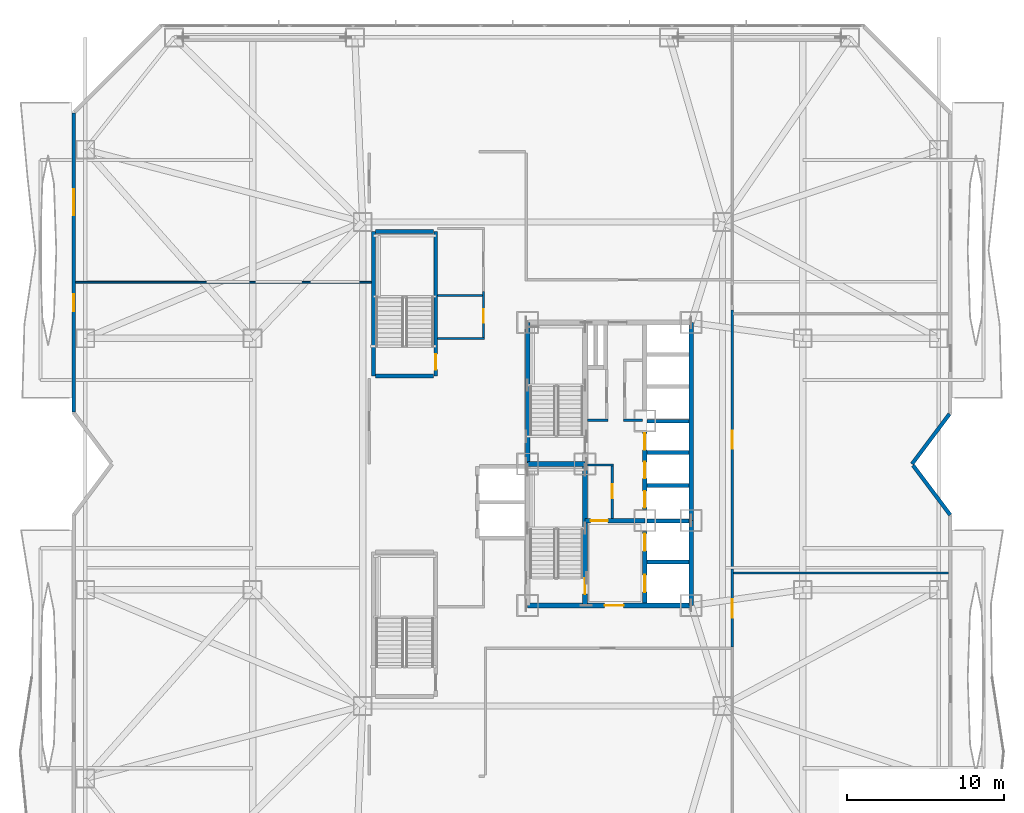
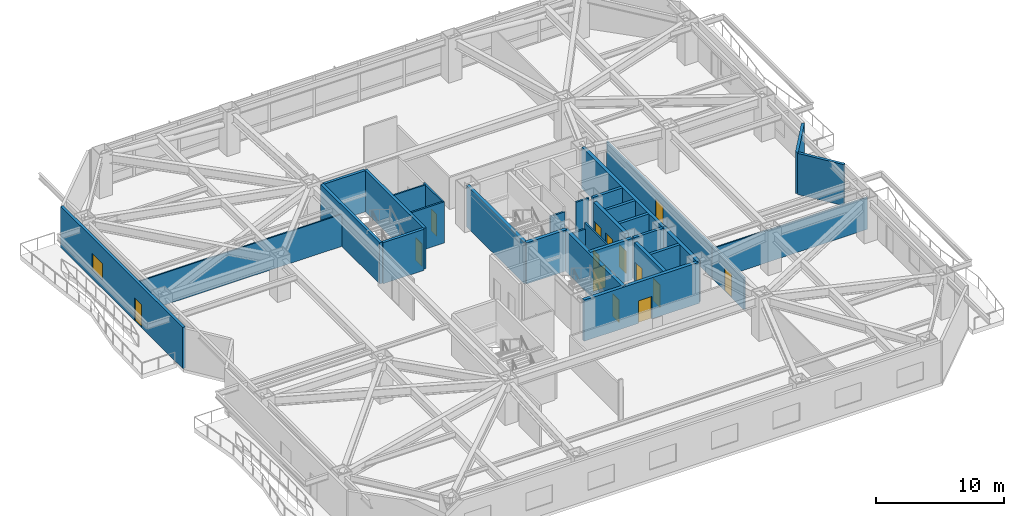
# One storey, part 17 of 25: 32 walls, 14 doors, 1 window, 15 openings.
"""IFC4 building model written with IfcOpenShell, lengths in metres."""

from ifc_helpers import new_model, si_unit, direction, frame, frame_2d, origin, place, context, subcontext, project, spatial, rectangle, extrude, material, layer, layer_set, type_object, element, fill, save


model = new_model("IFC4")

# Units and contexts
model_context = context("Model", 3, precision=1e-05, world=origin(), true_north=direction((0.0, 1.0)))
body_context = subcontext(model_context, "Body", "Model", "MODEL_VIEW")
ifc_project = project(units=[si_unit("LENGTHUNIT", "METRE"), si_unit("AREAUNIT", "SQUARE_METRE"), si_unit("VOLUMEUNIT", "CUBIC_METRE"), si_unit("PLANEANGLEUNIT", "RADIAN"), si_unit("MASSUNIT", "GRAM", prefix="KILO")], contexts=[model_context])

# Site, building, storey
site_placement = place(None, origin())
site = spatial("IfcSite", under=ifc_project, at=site_placement, CompositionType="ELEMENT")
building_placement = place(site_placement, origin())
building = spatial("IfcBuilding", under=site, at=building_placement, Name="Khamvora Tower", CompositionType="ELEMENT")
storey_placement = place(building_placement, frame((0.0, 0.0, 24.60009765625)))
storey = spatial("IfcBuildingStorey", under=building, at=storey_placement, Name="L05", CompositionType="ELEMENT", Elevation=24.60009765625)

# Wall
ifc_material_1 = material(Name="Concrete C50/60", Category="concrete")
ifc_layer_1 = layer(ifc_material_1, 0.300048828125)
ifc_layer_set_1 = layer_set([ifc_layer_1], Name="Concrete C50/60")
wall_type_1 = type_object("IfcWallType", Name="WAL-CORE-300", PredefinedType="SHEAR", material=ifc_layer_set_1)
wall_1_placement = place(storey_placement, frame((29.0, 28.0, 0.0), z_axis=(0.0, 0.0, 1.0), x_axis=(0.0, 1.0, 0.0)))
element("IfcWall", 1, at=wall_1_placement, inside=storey, type_object=wall_type_1, Name="L05 central core west north wall", PredefinedType="SHEAR", context=body_context, shape_type="SweptSolid", body=[
    extrude(rectangle(XDim=9.0, YDim=0.300048828125, at=frame_2d((4.5, 0.0))), origin(), (0.0, 0.0, 1.0), 3.919921875),
])

# Wall, opening, door
wall_2_placement = place(storey_placement, frame((29.0, 19.0, 0.0), z_axis=(0.0, 0.0, 1.0), x_axis=(1.0, 0.0, 0.0)))
wall_2 = element("IfcWall", 2, at=wall_2_placement, inside=storey, type_object=wall_type_1, Name="L05 central core south wall", PredefinedType="SHEAR", context=body_context, shape_type="SweptSolid", body=[
    extrude(rectangle(XDim=10.39990234375, YDim=0.300048828125, at=frame_2d((5.199951171875, 0.0))), origin(), (0.0, 0.0, 1.0), 3.919921875),
])
opening_1_placement = place(wall_2_placement, frame((4.89990234375, 0.0, 0.0)))
opening_1 = element("IfcOpeningElement", 3, at=opening_1_placement, cuts=wall_2, Name="Opening D-CR1", PredefinedType="OPENING", context=body_context, shape_type="SweptSolid", body=[
    extrude(rectangle(XDim=1.199951171875, YDim=2.14990234375, at=frame_2d((0.60009765625, 1.074951171875))), frame((0.0, 0.159912109375, 0.0), z_axis=(0.0, -1.0, 0.0), x_axis=(1.0, 0.0, 0.0)), (0.0, 0.0, 1.0), 0.320068359375),
])
ifc_material_2 = material(Name="Powder-Coated Steel and Hardwood Leaf", Category="steel")
door_type_1 = type_object("IfcDoorType", Name="DOR-CORR-1200", OperationType="NOTDEFINED", PredefinedType="DOOR", material=ifc_material_2)
door_1_placement = place(opening_1_placement, origin())
door_1 = element("IfcDoor", 4, at=door_1_placement, inside=storey, type_object=door_type_1, Name="L05 south core lobby to corridor fire door", OperationType="SINGLE_SWING_RIGHT", OverallHeight=2.14990234375, OverallWidth=1.199951171875, PredefinedType="DOOR", context=body_context, shape_type="SweptSolid", body=[
    extrude(rectangle(XDim=1.199951171875, YDim=2.14990234375, at=frame_2d((0.60009765625, 1.074951171875))), frame((0.0, 0.02490234375, 0.0), z_axis=(0.0, -1.0, 0.0), x_axis=(1.0, 0.0, 0.0)), (0.0, 0.0, 1.0), 0.050048828125),
])
fill(opening_1, door_1)

# Walls
wall_3_placement = place(storey_placement, frame((39.39990234375, 19.0, 0.0), z_axis=(0.0, 0.0, 1.0), x_axis=(0.0, 1.0, 0.0)))
element("IfcWall", 5, at=wall_3_placement, inside=storey, type_object=wall_type_1, Name="L05 central core east south wall", PredefinedType="SHEAR", context=body_context, shape_type="SweptSolid", body=[
    extrude(rectangle(XDim=5.39990234375, YDim=0.300048828125, at=frame_2d((2.699951171875, 0.0))), origin(), (0.0, 0.0, 1.0), 3.919921875),
])
wall_4_placement = place(storey_placement, frame((39.39990234375, 24.39990234375, 0.0), z_axis=(0.0, 0.0, 1.0), x_axis=(0.0, 1.0, 0.0)))
element("IfcWall", 6, at=wall_4_placement, inside=storey, type_object=wall_type_1, Name="L05 central core east north wall", PredefinedType="SHEAR", context=body_context, shape_type="SweptSolid", body=[
    extrude(rectangle(XDim=12.60009765625, YDim=0.300048828125, at=frame_2d((6.300048828125, 0.0))), origin(), (0.0, 0.0, 1.0), 3.919921875),
])

# Wall, opening, door
wall_5_placement = place(storey_placement, frame((32.64990234375, 19.0, 0.0), z_axis=(0.0, 0.0, 1.0), x_axis=(0.0, 1.0, 0.0)))
wall_5 = element("IfcWall", 7, at=wall_5_placement, inside=storey, type_object=wall_type_1, Name="L05 central core stair south spine wall", PredefinedType="SHEAR", context=body_context, shape_type="SweptSolid", body=[
    extrude(rectangle(XDim=9.0, YDim=0.300048828125, at=frame_2d((4.5, 0.0))), origin(), (0.0, 0.0, 1.0), 3.919921875),
])
opening_2_placement = place(wall_5_placement, frame((0.719970703125, 0.0, 0.0)))
opening_2 = element("IfcOpeningElement", 8, at=opening_2_placement, cuts=wall_5, Name="Opening D-ST1", PredefinedType="OPENING", context=body_context, shape_type="SweptSolid", body=[
    extrude(rectangle(XDim=1.0, YDim=2.14990234375, at=frame_2d((0.5, 1.074951171875))), frame((0.0, 0.159912109375, 0.0), z_axis=(0.0, -1.0, 0.0), x_axis=(1.0, 0.0, 0.0)), (0.0, 0.0, 1.0), 0.320068359375),
])
door_type_2 = type_object("IfcDoorType", Name="DOR-STAIR-1000", OperationType="NOTDEFINED", PredefinedType="DOOR", material=ifc_material_2)
door_2_placement = place(opening_2_placement, origin())
door_2 = element("IfcDoor", 9, at=door_2_placement, inside=storey, type_object=door_type_2, Name="L05 exit stair ST-01 fire door", OperationType="SINGLE_SWING_RIGHT", OverallHeight=2.14990234375, OverallWidth=1.0, PredefinedType="DOOR", context=body_context, shape_type="SweptSolid", body=[
    extrude(rectangle(XDim=1.0, YDim=2.14990234375, at=frame_2d((0.5, 1.074951171875))), frame((0.0, 0.02490234375, 0.0), z_axis=(0.0, -1.0, 0.0), x_axis=(1.0, 0.0, 0.0)), (0.0, 0.0, 1.0), 0.050048828125),
])
fill(opening_2, door_2)

# Wall
wall_6_placement = place(storey_placement, frame((29.0, 28.0, 0.0), z_axis=(0.0, 0.0, 1.0), x_axis=(1.0, 0.0, 0.0)))
element("IfcWall", 10, at=wall_6_placement, inside=storey, type_object=wall_type_1, Name="L05 central core stair cross wall", PredefinedType="SHEAR", context=body_context, shape_type="SweptSolid", body=[
    extrude(rectangle(XDim=3.64990234375, YDim=0.300048828125, at=frame_2d((1.824951171875, 0.0))), origin(), (0.0, 0.0, 1.0), 3.919921875),
])

# Wall, opening, door
wall_7_placement = place(storey_placement, frame((32.64990234375, 24.39990234375, 0.0), z_axis=(0.0, 0.0, 1.0), x_axis=(1.0, 0.0, 0.0)))
wall_7 = element("IfcWall", 11, at=wall_7_placement, inside=storey, type_object=wall_type_1, Name="L05 central core firefighting lobby north wall", PredefinedType="SHEAR", context=body_context, shape_type="SweptSolid", body=[
    extrude(rectangle(XDim=3.800048828125, YDim=0.300048828125, at=frame_2d((1.89990234375, 0.0))), origin(), (0.0, 0.0, 1.0), 3.919921875),
])
opening_3_placement = place(wall_7_placement, frame((0.35009765625, 0.0, 0.0)))
opening_3 = element("IfcOpeningElement", 12, at=opening_3_placement, cuts=wall_7, Name="Opening D-FF1", PredefinedType="OPENING", context=body_context, shape_type="SweptSolid", body=[
    extrude(rectangle(XDim=1.10009765625, YDim=2.14990234375, at=frame_2d((0.550048828125, 1.074951171875))), frame((0.0, 0.159912109375, 0.0), z_axis=(0.0, -1.0, 0.0), x_axis=(1.0, 0.0, 0.0)), (0.0, 0.0, 1.0), 0.320068359375),
])
door_type_3 = type_object("IfcDoorType", Name="DOR-FFLOB-1100", OperationType="NOTDEFINED", PredefinedType="DOOR", material=ifc_material_2)
door_3_placement = place(opening_3_placement, origin())
door_3 = element("IfcDoor", 13, at=door_3_placement, inside=storey, type_object=door_type_3, Name="L05 firefighting lobby smoke-seal fire door", OperationType="SINGLE_SWING_LEFT", OverallHeight=2.14990234375, OverallWidth=1.10009765625, PredefinedType="DOOR", context=body_context, shape_type="SweptSolid", body=[
    extrude(rectangle(XDim=1.10009765625, YDim=2.14990234375, at=frame_2d((0.550048828125, 1.074951171875))), frame((0.0, 0.02490234375, 0.0), z_axis=(0.0, -1.0, 0.0), x_axis=(1.0, 0.0, 0.0)), (0.0, 0.0, 1.0), 0.050048828125),
])
fill(opening_3, door_3)

# Wall, openings, doors
wall_8_placement = place(storey_placement, frame((36.449951171875, 19.154052734375, 0.0), z_axis=(0.0, 0.0, 1.0), x_axis=(0.0, 1.0, 0.0)))
wall_8 = element("IfcWall", 14, at=wall_8_placement, inside=storey, type_object=wall_type_1, Name="L05 central core lift bank south wall", PredefinedType="SHEAR", context=body_context, shape_type="SweptSolid", body=[
    extrude(rectangle(XDim=4.5458984375, YDim=0.300048828125, at=frame_2d((2.27294921875, 0.0))), origin(), (0.0, 0.0, 1.0), 3.919921875),
])
opening_4_placement = place(wall_8_placement, frame((0.696044921875, 0.0, 0.0)))
opening_4 = element("IfcOpeningElement", 15, at=opening_4_placement, cuts=wall_8, Name="Opening LD-FFL", PredefinedType="OPENING", context=body_context, shape_type="SweptSolid", body=[
    extrude(rectangle(XDim=1.10009765625, YDim=2.14990234375, at=frame_2d((0.550048828125, 1.074951171875))), frame((0.0, 0.159912109375, 0.0), z_axis=(0.0, -1.0, 0.0), x_axis=(1.0, 0.0, 0.0)), (0.0, 0.0, 1.0), 0.320068359375),
])
opening_5_placement = place(wall_8_placement, frame((3.31591796875, 0.0, 0.0)))
opening_5 = element("IfcOpeningElement", 16, at=opening_5_placement, cuts=wall_8, Name="Opening LD-FFL", PredefinedType="OPENING", context=body_context, shape_type="SweptSolid", body=[
    extrude(rectangle(XDim=1.10009765625, YDim=2.14990234375, at=frame_2d((0.550048828125, 1.074951171875))), frame((0.0, 0.159912109375, 0.0), z_axis=(0.0, -1.0, 0.0), x_axis=(1.0, 0.0, 0.0)), (0.0, 0.0, 1.0), 0.320068359375),
])
door_type_4 = type_object("IfcDoorType", Name="DOR-LIFT-1100", OperationType="SLIDING_TO_LEFT", PredefinedType="DOOR", material=ifc_material_2)
door_4_placement = place(opening_4_placement, origin())
door_4 = element("IfcDoor", 17, at=door_4_placement, inside=storey, type_object=door_type_4, Name="L05 lift landing sliding door FFL-01", OperationType="SLIDING_TO_LEFT", OverallHeight=2.14990234375, OverallWidth=1.10009765625, PredefinedType="DOOR", context=body_context, shape_type="SweptSolid", body=[
    extrude(rectangle(XDim=1.10009765625, YDim=2.14990234375, at=frame_2d((0.550048828125, 1.074951171875))), frame((0.0, 0.02490234375, 0.0), z_axis=(0.0, -1.0, 0.0), x_axis=(1.0, 0.0, 0.0)), (0.0, 0.0, 1.0), 0.050048828125),
])
fill(opening_4, door_4)
door_5_placement = place(opening_5_placement, origin())
door_5 = element("IfcDoor", 18, at=door_5_placement, inside=storey, type_object=door_type_4, Name="L05 lift landing sliding door FFL-02", OperationType="SLIDING_TO_LEFT", OverallHeight=2.14990234375, OverallWidth=1.10009765625, PredefinedType="DOOR", context=body_context, shape_type="SweptSolid", body=[
    extrude(rectangle(XDim=1.10009765625, YDim=2.14990234375, at=frame_2d((0.550048828125, 1.074951171875))), frame((0.0, 0.02490234375, 0.0), z_axis=(0.0, -1.0, 0.0), x_axis=(1.0, 0.0, 0.0)), (0.0, 0.0, 1.0), 0.050048828125),
])
fill(opening_5, door_5)

wall_9_placement = place(storey_placement, frame((36.449951171875, 25.10009765625, 0.0), z_axis=(0.0, 0.0, 1.0), x_axis=(0.0, 1.0, 0.0)))
wall_9 = element("IfcWall", 19, at=wall_9_placement, inside=storey, type_object=wall_type_1, Name="L05 central core lift bank central wall", PredefinedType="SHEAR", context=body_context, shape_type="SweptSolid", body=[
    extrude(rectangle(XDim=4.949951171875, YDim=0.300048828125, at=frame_2d((2.47509765625, 0.0))), origin(), (0.0, 0.0, 1.0), 3.919921875),
])
opening_6_placement = place(wall_9_placement, frame((0.1201171875, 0.0, 0.0)))
opening_6 = element("IfcOpeningElement", 20, at=opening_6_placement, cuts=wall_9, Name="Opening LD-PL", PredefinedType="OPENING", context=body_context, shape_type="SweptSolid", body=[
    extrude(rectangle(XDim=1.050048828125, YDim=2.14990234375, at=frame_2d((0.52490234375, 1.074951171875))), frame((0.0, 0.159912109375, 0.0), z_axis=(0.0, -1.0, 0.0), x_axis=(1.0, 0.0, 0.0)), (0.0, 0.0, 1.0), 0.320068359375),
])
opening_7_placement = place(wall_9_placement, frame((1.9951171875, 0.0, 0.0)))
opening_7 = element("IfcOpeningElement", 21, at=opening_7_placement, cuts=wall_9, Name="Opening LD-PL", PredefinedType="OPENING", context=body_context, shape_type="SweptSolid", body=[
    extrude(rectangle(XDim=1.050048828125, YDim=2.14990234375, at=frame_2d((0.52490234375, 1.074951171875))), frame((0.0, 0.159912109375, 0.0), z_axis=(0.0, -1.0, 0.0), x_axis=(1.0, 0.0, 0.0)), (0.0, 0.0, 1.0), 0.320068359375),
])
opening_8_placement = place(wall_9_placement, frame((3.794921875, 0.0, 0.0)))
opening_8 = element("IfcOpeningElement", 22, at=opening_8_placement, cuts=wall_9, Name="Opening LD-PL", PredefinedType="OPENING", context=body_context, shape_type="SweptSolid", body=[
    extrude(rectangle(XDim=1.050048828125, YDim=2.14990234375, at=frame_2d((0.52490234375, 1.074951171875))), frame((0.0, 0.159912109375, 0.0), z_axis=(0.0, -1.0, 0.0), x_axis=(1.0, 0.0, 0.0)), (0.0, 0.0, 1.0), 0.320068359375),
])
door_type_5 = type_object("IfcDoorType", Name="DOR-LIFT-1050", OperationType="SLIDING_TO_LEFT", PredefinedType="DOOR", material=ifc_material_2)
door_6_placement = place(opening_6_placement, origin())
door_6 = element("IfcDoor", 23, at=door_6_placement, inside=storey, type_object=door_type_5, Name="L05 lift landing sliding door PL-01", OperationType="SLIDING_TO_LEFT", OverallHeight=2.14990234375, OverallWidth=1.050048828125, PredefinedType="DOOR", context=body_context, shape_type="SweptSolid", body=[
    extrude(rectangle(XDim=1.050048828125, YDim=2.14990234375, at=frame_2d((0.52490234375, 1.074951171875))), frame((0.0, 0.02490234375, 0.0), z_axis=(0.0, -1.0, 0.0), x_axis=(1.0, 0.0, 0.0)), (0.0, 0.0, 1.0), 0.050048828125),
])
fill(opening_6, door_6)
door_7_placement = place(opening_7_placement, origin())
door_7 = element("IfcDoor", 24, at=door_7_placement, inside=storey, type_object=door_type_5, Name="L05 lift landing sliding door PL-02", OperationType="SLIDING_TO_LEFT", OverallHeight=2.14990234375, OverallWidth=1.050048828125, PredefinedType="DOOR", context=body_context, shape_type="SweptSolid", body=[
    extrude(rectangle(XDim=1.050048828125, YDim=2.14990234375, at=frame_2d((0.52490234375, 1.074951171875))), frame((0.0, 0.02490234375, 0.0), z_axis=(0.0, -1.0, 0.0), x_axis=(1.0, 0.0, 0.0)), (0.0, 0.0, 1.0), 0.050048828125),
])
fill(opening_7, door_7)
door_8_placement = place(opening_8_placement, origin())
door_8 = element("IfcDoor", 25, at=door_8_placement, inside=storey, type_object=door_type_5, Name="L05 lift landing sliding door PL-03", OperationType="SLIDING_TO_LEFT", OverallHeight=2.14990234375, OverallWidth=1.050048828125, PredefinedType="DOOR", context=body_context, shape_type="SweptSolid", body=[
    extrude(rectangle(XDim=1.050048828125, YDim=2.14990234375, at=frame_2d((0.52490234375, 1.074951171875))), frame((0.0, 0.02490234375, 0.0), z_axis=(0.0, -1.0, 0.0), x_axis=(1.0, 0.0, 0.0)), (0.0, 0.0, 1.0), 0.050048828125),
])
fill(opening_8, door_8)

# Walls
ifc_material_3 = material(Name="Fire-Rated Drywall and Steel Stud", Category="steel")
ifc_layer_2 = layer(ifc_material_3, 0.14990234375)
ifc_layer_set_2 = layer_set([ifc_layer_2], Name="Fire-Rated Drywall and Steel Stud")
wall_type_2 = type_object("IfcWallType", Name="WAL-CORR-150", PredefinedType="STANDARD", material=ifc_layer_set_2)
wall_10_placement = place(storey_placement, frame((35.10205078125, 30.784912109375, 0.0), z_axis=(0.0, 0.0, 1.0), x_axis=(1.0, 0.0, 0.0)))
element("IfcWall", 26, at=wall_10_placement, inside=storey, type_object=wall_type_2, Name="L05 interior partition wall 003", PredefinedType="STANDARD", context=body_context, shape_type="SweptSolid", body=[
    extrude(rectangle(XDim=1.197998046875, YDim=0.14990234375, at=frame_2d((0.59912109375, 0.0))), origin(), (0.0, 0.0, 1.0), 3.919921875),
])
wall_11_placement = place(storey_placement, frame((32.7939453125, 30.784912109375, 0.0), z_axis=(0.0, 0.0, 1.0), x_axis=(1.0, 0.0, 0.0)))
element("IfcWall", 27, at=wall_11_placement, inside=storey, type_object=wall_type_2, Name="L05 interior partition wall 004", PredefinedType="STANDARD", context=body_context, shape_type="SweptSolid", body=[
    extrude(rectangle(XDim=1.30615234375, YDim=0.14990234375, at=frame_2d((0.653076171875, 0.0))), origin(), (0.0, 0.0, 1.0), 3.376953125),
])

# Wall, opening, door
wall_12_placement = place(storey_placement, frame((34.385009765625, 24.5439453125, 0.0), z_axis=(0.0, 0.0, 1.0), x_axis=(0.0, 1.0, 0.0)))
wall_12 = element("IfcWall", 28, at=wall_12_placement, inside=storey, type_object=wall_type_2, Name="L05 interior partition wall 006", PredefinedType="STANDARD", context=body_context, shape_type="SweptSolid", body=[
    extrude(rectangle(XDim=3.4560546875, YDim=0.14990234375, at=frame_2d((1.72802734375, 0.0))), origin(), (0.0, 0.0, 1.0), 3.919921875),
])
opening_9_placement = place(wall_12_placement, frame((1.278076171875, 0.0, 0.0)))
opening_9 = element("IfcOpeningElement", 29, at=opening_9_placement, cuts=wall_12, Name="Opening D-RM1", PredefinedType="OPENING", context=body_context, shape_type="SweptSolid", body=[
    extrude(rectangle(XDim=0.89990234375, YDim=2.10009765625, at=frame_2d((0.449951171875, 1.050048828125))), frame((0.0, 0.0849609375, 0.0), z_axis=(0.0, -1.0, 0.0), x_axis=(1.0, 0.0, 0.0)), (0.0, 0.0, 1.0), 0.169921875),
])
door_type_6 = type_object("IfcDoorType", Name="DOR-ROOM-900", OperationType="NOTDEFINED", PredefinedType="DOOR", material=ifc_material_2)
door_9_placement = place(opening_9_placement, origin())
door_9 = element("IfcDoor", 30, at=door_9_placement, inside=storey, type_object=door_type_6, Name="L05 interior door PLL-CS3", OperationType="SINGLE_SWING_RIGHT", OverallHeight=2.10009765625, OverallWidth=0.89990234375, PredefinedType="DOOR", context=body_context, shape_type="SweptSolid", body=[
    extrude(rectangle(XDim=0.89990234375, YDim=2.10009765625, at=frame_2d((0.449951171875, 1.050048828125))), frame((0.0, 0.02490234375, 0.0), z_axis=(0.0, -1.0, 0.0), x_axis=(1.0, 0.0, 0.0)), (0.0, 0.0, 1.0), 0.050048828125),
])
fill(opening_9, door_9)

# Walls
wall_13_placement = place(storey_placement, frame((34.449951171875, 27.93505859375, 0.0), z_axis=(0.0, 0.0, 1.0), x_axis=(-1.0, 0.0, 0.0)))
element("IfcWall", 31, at=wall_13_placement, inside=storey, type_object=wall_type_2, Name="L05 interior partition wall 007", PredefinedType="STANDARD", context=body_context, shape_type="SweptSolid", body=[
    extrude(rectangle(XDim=1.656005859375, YDim=0.14990234375, at=frame_2d((0.828125, 0.0))), origin(), (0.0, 0.0, 1.0), 3.376953125),
])
wall_14_placement = place(storey_placement, frame((23.26708984375, 35.985107421875, 0.0), z_axis=(0.0, 0.0, 1.0), x_axis=(1.0, 0.0, 0.0)))
element("IfcWall", 32, at=wall_14_placement, inside=storey, type_object=wall_type_2, Name="L05 interior partition wall 010", PredefinedType="STANDARD", context=body_context, shape_type="SweptSolid", body=[
    extrude(rectangle(XDim=2.98291015625, YDim=0.14990234375, at=frame_2d((1.491455078125, 0.0))), origin(), (0.0, 0.0, 1.0), 3.919921875),
])

# Wall, opening, door
wall_15_placement = place(storey_placement, frame((26.18505859375, 35.922119140625, 0.0), z_axis=(0.0, 0.0, 1.0), x_axis=(0.0, 1.0, 0.0)))
wall_15 = element("IfcWall", 33, at=wall_15_placement, inside=storey, type_object=wall_type_2, Name="L05 interior partition wall 011", PredefinedType="STANDARD", context=body_context, shape_type="SweptSolid", body=[
    extrude(rectangle(XDim=3.0419921875, YDim=0.14990234375, at=frame_2d((1.52099609375, 0.0))), origin(), (0.0, 0.0, 1.0), 3.919921875),
])
opening_10_placement = place(wall_15_placement, frame((1.074951171875, 0.0, 0.0)))
opening_10 = element("IfcOpeningElement", 34, at=opening_10_placement, cuts=wall_15, Name="Opening D-WC1", PredefinedType="OPENING", context=body_context, shape_type="SweptSolid", body=[
    extrude(rectangle(XDim=0.85009765625, YDim=2.10009765625, at=frame_2d((0.425048828125, 1.050048828125))), frame((0.0, 0.0849609375, 0.0), z_axis=(0.0, -1.0, 0.0), x_axis=(1.0, 0.0, 0.0)), (0.0, 0.0, 1.0), 0.169921875),
])
door_type_7 = type_object("IfcDoorType", Name="DOR-WET-850", OperationType="NOTDEFINED", PredefinedType="DOOR", material=ifc_material_2)
door_10_placement = place(opening_10_placement, origin())
door_10 = element("IfcDoor", 35, at=door_10_placement, inside=storey, type_object=door_type_7, Name="L05 interior door SCOR-WCA", OperationType="SINGLE_SWING_RIGHT", OverallHeight=2.10009765625, OverallWidth=0.85009765625, PredefinedType="DOOR", context=body_context, shape_type="SweptSolid", body=[
    extrude(rectangle(XDim=0.85009765625, YDim=2.10009765625, at=frame_2d((0.425048828125, 1.050048828125))), frame((0.0, 0.02490234375, 0.0), z_axis=(0.0, -1.0, 0.0), x_axis=(1.0, 0.0, 0.0)), (0.0, 0.0, 1.0), 0.050048828125),
])
fill(opening_10, door_10)

wall_16_placement = place(storey_placement, frame((42.014892578125, 21.31396484375, 0.0), z_axis=(0.0, 0.0, 1.0), x_axis=(0.0, -1.0, 0.0)))
wall_16 = element("IfcWall", 36, at=wall_16_placement, inside=storey, type_object=wall_type_2, Name="L05 interior partition wall 017", PredefinedType="STANDARD", context=body_context, shape_type="SweptSolid", body=[
    extrude(rectangle(XDim=4.9638671875, YDim=0.14990234375, at=frame_2d((2.48193359375, 0.0))), origin(), (0.0, 0.0, 1.0), 3.054931640625),
])
opening_11_placement = place(wall_16_placement, frame((1.927978515625, 0.0, 0.0)))
opening_11 = element("IfcOpeningElement", 37, at=opening_11_placement, cuts=wall_16, Name="Opening D-SC1", PredefinedType="OPENING", context=body_context, shape_type="SweptSolid", body=[
    extrude(rectangle(XDim=1.14990234375, YDim=2.199951171875, at=frame_2d((0.574951171875, 1.10009765625))), frame((0.0, 0.0849609375, 0.0), z_axis=(0.0, -1.0, 0.0), x_axis=(1.0, 0.0, 0.0)), (0.0, 0.0, 1.0), 0.169921875),
])
door_type_8 = type_object("IfcDoorType", Name="DOR-SCHL-1150", OperationType="NOTDEFINED", PredefinedType="DOOR", material=ifc_material_2)
door_11_placement = place(opening_11_placement, origin())
door_11 = element("IfcDoor", 38, at=door_11_placement, inside=storey, type_object=door_type_8, Name="L05 interior door SCOR-CL1", OperationType="SINGLE_SWING_RIGHT", OverallHeight=2.199951171875, OverallWidth=1.14990234375, PredefinedType="DOOR", context=body_context, shape_type="SweptSolid", body=[
    extrude(rectangle(XDim=1.14990234375, YDim=2.199951171875, at=frame_2d((0.574951171875, 1.10009765625))), frame((0.0, 0.02490234375, 0.0), z_axis=(0.0, -1.0, 0.0), x_axis=(1.0, 0.0, 0.0)), (0.0, 0.0, 1.0), 0.050048828125),
])
fill(opening_11, door_11)

wall_17_placement = place(storey_placement, frame((42.014892578125, 37.81396484375, 0.0), z_axis=(0.0, 0.0, 1.0), x_axis=(0.0, -1.0, 0.0)))
wall_17 = element("IfcWall", 39, at=wall_17_placement, inside=storey, type_object=wall_type_2, Name="L05 interior partition wall 018", PredefinedType="STANDARD", context=body_context, shape_type="SweptSolid", body=[
    extrude(rectangle(XDim=16.5, YDim=0.14990234375, at=frame_2d((8.25, 0.0))), origin(), (0.0, 0.0, 1.0), 3.054931640625),
])
opening_12_placement = place(wall_17_placement, frame((7.696044921875, 0.0, 0.0)))
opening_12 = element("IfcOpeningElement", 40, at=opening_12_placement, cuts=wall_17, Name="Opening D-SC1", PredefinedType="OPENING", context=body_context, shape_type="SweptSolid", body=[
    extrude(rectangle(XDim=1.14990234375, YDim=2.199951171875, at=frame_2d((0.574951171875, 1.10009765625))), frame((0.0, 0.0849609375, 0.0), z_axis=(0.0, -1.0, 0.0), x_axis=(1.0, 0.0, 0.0)), (0.0, 0.0, 1.0), 0.169921875),
])
door_12_placement = place(opening_12_placement, origin())
door_12 = element("IfcDoor", 41, at=door_12_placement, inside=storey, type_object=door_type_8, Name="L05 interior door SCOR-CL2", OperationType="SINGLE_SWING_LEFT", OverallHeight=2.199951171875, OverallWidth=1.14990234375, PredefinedType="DOOR", context=body_context, shape_type="SweptSolid", body=[
    extrude(rectangle(XDim=1.14990234375, YDim=2.199951171875, at=frame_2d((0.574951171875, 1.10009765625))), frame((0.0, 0.02490234375, 0.0), z_axis=(0.0, -1.0, 0.0), x_axis=(1.0, 0.0, 0.0)), (0.0, 0.0, 1.0), 0.050048828125),
])
fill(opening_12, door_12)

# Wall, openings, door, window
ifc_material_4 = material(Name="Precast concrete C40/50", Category="concrete")
ifc_layer_3 = layer(ifc_material_4, 0.239990234375)
ifc_layer_set_3 = layer_set([ifc_layer_3], Name="Precast concrete C40/50")
wall_type_3 = type_object("IfcWallType", Name="WAL-EXT-240", PredefinedType="STANDARD", material=ifc_layer_set_3)
wall_18_placement = place(storey_placement, frame((0.1201171875, 31.303955078125, 0.0), z_axis=(0.0, 0.0, 1.0), x_axis=(0.0, 1.0, 0.0)))
wall_18 = element("IfcWall", 42, at=wall_18_placement, inside=storey, type_object=wall_type_3, Name="L05 exterior facade wall 05.1", PredefinedType="STANDARD", context=body_context, shape_type="SweptSolid", body=[
    extrude(rectangle(XDim=19.046142578125, YDim=0.239990234375, at=frame_2d((9.52294921875, 0.0))), origin(), (0.0, 0.0, 1.0), 3.919921875),
])
opening_13_placement = place(wall_18_placement, frame((6.403076171875, 0.0, 0.0)))
opening_13 = element("IfcOpeningElement", 43, at=opening_13_placement, cuts=wall_18, Name="Opening BD-01", PredefinedType="OPENING", context=body_context, shape_type="SweptSolid", body=[
    extrude(rectangle(XDim=1.10009765625, YDim=2.199951171875, at=frame_2d((0.550048828125, 1.10009765625))), frame((0.0, 0.1298828125, 0.0), z_axis=(0.0, -1.0, 0.0), x_axis=(1.0, 0.0, 0.0)), (0.0, 0.0, 1.0), 0.260009765625),
])
opening_14_placement = place(wall_18_placement, frame((12.51611328125, 0.0, 0.85009765625)))
opening_14 = element("IfcOpeningElement", 44, at=opening_14_placement, cuts=wall_18, Name="Opening WN-06", PredefinedType="OPENING", context=body_context, shape_type="SweptSolid", body=[
    extrude(rectangle(XDim=1.64990234375, YDim=1.550048828125, at=frame_2d((0.824951171875, 0.77490234375))), frame((0.0, 0.1298828125, 0.0), z_axis=(0.0, -1.0, 0.0), x_axis=(1.0, 0.0, 0.0)), (0.0, 0.0, 1.0), 0.260009765625),
])
ifc_material_5 = material(Name="Anodised Aluminium and Laminated Safety Glass", Category="aluminium")
door_type_9 = type_object("IfcDoorType", Name="DOR-BAL-1100", OperationType="NOTDEFINED", PredefinedType="DOOR", material=ifc_material_5)
door_13_placement = place(opening_13_placement, origin())
door_13 = element("IfcDoor", 45, at=door_13_placement, inside=storey, type_object=door_type_9, Name="L05 lens gallery balcony door WL2", OperationType="SLIDING_TO_LEFT", OverallHeight=2.199951171875, OverallWidth=1.10009765625, PredefinedType="DOOR", context=body_context, shape_type="SweptSolid", body=[
    extrude(rectangle(XDim=1.10009765625, YDim=2.199951171875, at=frame_2d((0.550048828125, 1.10009765625))), frame((0.0, 0.02490234375, 0.0), z_axis=(0.0, -1.0, 0.0), x_axis=(1.0, 0.0, 0.0)), (0.0, 0.0, 1.0), 0.050048828125),
])
fill(opening_13, door_13)
ifc_material_6 = material(Name="Low-E Laminated Double Glazing", Category="glass")
window_type = type_object("IfcWindowType", Name="WIN-VIS-1650x1550", PartitioningType="SINGLE_PANEL", PredefinedType="WINDOW", material=ifc_material_6)
window_placement = place(opening_14_placement, origin())
window = element("IfcWindow", 46, at=window_placement, inside=storey, type_object=window_type, Name="L05 vision window 05.1.01", OverallHeight=1.550048828125, OverallWidth=1.64990234375, PartitioningType="SINGLE_PANEL", PredefinedType="WINDOW", context=body_context, shape_type="SweptSolid", body=[
    extrude(rectangle(XDim=1.64990234375, YDim=1.550048828125, at=frame_2d((0.824951171875, 0.77490234375))), frame((0.0, 0.030029296875, 0.0), z_axis=(0.0, -1.0, 0.0), x_axis=(1.0, 0.0, 0.0)), (0.0, 0.0, 1.0), 0.06005859375),
])
fill(opening_14, window)

# Walls
wall_19_placement = place(storey_placement, frame((55.842041015625, 31.18896484375, 0.0), z_axis=(0.0, 0.0, 1.0), x_axis=(-0.600058791648, -0.799955902889, 0.0)))
element("IfcWall", 47, at=wall_19_placement, inside=storey, type_object=wall_type_3, Name="L05 exterior facade wall 10.1", PredefinedType="STANDARD", context=body_context, shape_type="SweptSolid", body=[
    extrude(rectangle(XDim=3.986328125, YDim=0.239990234375, at=frame_2d((1.9931640625, 0.0))), origin(), (0.0, 0.0, 1.0), 3.919921875),
])
wall_20_placement = place(storey_placement, frame((53.512939453125, 27.916015625, 0.0), z_axis=(0.0, 0.0, 1.0), x_axis=(0.599990098106, -0.800007426325, 0.0)))
element("IfcWall", 48, at=wall_20_placement, inside=storey, type_object=wall_type_3, Name="L05 exterior facade wall 11.1", PredefinedType="STANDARD", context=body_context, shape_type="SweptSolid", body=[
    extrude(rectangle(XDim=3.945068359375, YDim=0.239990234375, at=frame_2d((1.97265625, 0.0))), origin(), (0.0, 0.0, 1.0), 3.919921875),
])
ifc_material_7 = material(Name="Gypsum Plasterboard Partition", Category="gypsum")
ifc_layer_4 = layer(ifc_material_7, 0.1201171875)
ifc_layer_set_4 = layer_set([ifc_layer_4], Name="Gypsum Plasterboard Partition")
wall_type_4 = type_object("IfcWallType", Name="WAL-PART-120", PredefinedType="PARTITIONING", material=ifc_layer_set_4)
wall_21_placement = place(storey_placement, frame((0.23193359375, 39.56494140625, 0.0), z_axis=(0.0, 0.0, 1.0), x_axis=(1.0, 0.0, 0.0)))
element("IfcWall", 49, at=wall_21_placement, inside=storey, type_object=wall_type_4, Name="L05 interior partition wall 027", PredefinedType="PARTITIONING", context=body_context, shape_type="SweptSolid", body=[
    extrude(rectangle(XDim=18.84912109375, YDim=0.1201171875, at=frame_2d((9.424560546875, 0.0))), origin(), (0.0, 0.0, 1.0), 3.054931640625),
])
wall_22_placement = place(storey_placement, frame((42.08203125, 21.06494140625, 0.0), z_axis=(0.0, 0.0, 1.0), x_axis=(1.0, 0.0, 0.0)))
element("IfcWall", 50, at=wall_22_placement, inside=storey, type_object=wall_type_4, Name="L05 interior partition wall 028", PredefinedType="PARTITIONING", context=body_context, shape_type="SweptSolid", body=[
    extrude(rectangle(XDim=13.68603515625, YDim=0.1201171875, at=frame_2d((6.843017578125, 0.0))), origin(), (0.0, 0.0, 1.0), 3.054931640625),
])
ifc_material_8 = material(Name="Concrete C40/50", Category="concrete")
ifc_layer_5 = layer(ifc_material_8, 0.25)
ifc_layer_set_5 = layer_set([ifc_layer_5], Name="Concrete C40/50")
wall_type_5 = type_object("IfcWallType", Name="WAL-PODS-250", PredefinedType="SHEAR", material=ifc_layer_set_5)
for number, where, z_axis, x_axis, name in (
    (51, (36.60400390625, 21.77490234375, 0.0), (0.0, 0.0, 1.0), (1.0, 0.0, 0.0), "L05 lift shaft divider wall FFL-01"),
    (52, (36.60400390625, 24.375, 0.0), (0.0, 0.0, 1.0), (1.0, 0.0, 0.0), "L05 lift shaft divider wall FFL-02"),
    (53, (36.60400390625, 26.625, 0.0), (0.0, 0.0, 1.0), (1.0, 0.0, 0.0), "L05 lift shaft divider wall PL-01"),
    (54, (36.60400390625, 28.72509765625, 0.0), (0.0, 0.0, 1.0), (1.0, 0.0, 0.0), "L05 lift shaft divider wall PL-02"),
    (55, (36.60400390625, 30.72509765625, 0.0), (0.0, 0.0, 1.0), (1.0, 0.0, 0.0), "L05 lift shaft divider wall PL-03"),
):
    element("IfcWall", number, at=place(storey_placement, frame(where, z_axis=z_axis, x_axis=x_axis)), inside=storey, type_object=wall_type_5, Name=name, PredefinedType="SHEAR", context=body_context, shape_type="SweptSolid", body=[
        extrude(rectangle(XDim=2.64208984375, YDim=0.25, at=frame_2d((1.321044921875, 0.0))), origin(), (0.0, 0.0, 1.0), 3.919921875),
    ])
wall_23_placement = place(storey_placement, frame((19.199951171875, 33.60009765625, 0.0), z_axis=(0.0, 0.0, 1.0), x_axis=(0.0, 1.0, 0.0)))
element("IfcWall", 56, at=wall_23_placement, inside=storey, type_object=wall_type_5, Name="L05 podium stair core wall st4 w", PredefinedType="SHEAR", context=body_context, shape_type="SweptSolid", body=[
    extrude(rectangle(XDim=9.199951171875, YDim=0.25, at=frame_2d((4.60009765625, 0.0))), origin(), (0.0, 0.0, 1.0), 3.919921875),
])

# Wall, opening, door
wall_24_placement = place(storey_placement, frame((23.14990234375, 33.60009765625, 0.0), z_axis=(0.0, 0.0, 1.0), x_axis=(0.0, 1.0, 0.0)))
wall_24 = element("IfcWall", 57, at=wall_24_placement, inside=storey, type_object=wall_type_5, Name="L05 podium stair core wall st4 e", PredefinedType="SHEAR", context=body_context, shape_type="SweptSolid", body=[
    extrude(rectangle(XDim=9.199951171875, YDim=0.25, at=frame_2d((4.60009765625, 0.0))), origin(), (0.0, 0.0, 1.0), 3.919921875),
])
opening_15_placement = place(wall_24_placement, frame((0.39990234375, 0.0, 0.0)))
opening_15 = element("IfcOpeningElement", 58, at=opening_15_placement, cuts=wall_24, Name="Opening D-ST1", PredefinedType="OPENING", context=body_context, shape_type="SweptSolid", body=[
    extrude(rectangle(XDim=1.0, YDim=2.14990234375, at=frame_2d((0.5, 1.074951171875))), frame((0.0, 0.135009765625, 0.0), z_axis=(0.0, -1.0, 0.0), x_axis=(1.0, 0.0, 0.0)), (0.0, 0.0, 1.0), 0.27001953125),
])
door_14_placement = place(opening_15_placement, origin())
door_14 = element("IfcDoor", 59, at=door_14_placement, inside=storey, type_object=door_type_2, Name="L05 podium stair ST4 enclosure door", OperationType="SINGLE_SWING_LEFT", OverallHeight=2.14990234375, OverallWidth=1.0, PredefinedType="DOOR", context=body_context, shape_type="SweptSolid", body=[
    extrude(rectangle(XDim=1.0, YDim=2.14990234375, at=frame_2d((0.5, 1.074951171875))), frame((0.0, 0.02490234375, 0.0), z_axis=(0.0, -1.0, 0.0), x_axis=(1.0, 0.0, 0.0)), (0.0, 0.0, 1.0), 0.050048828125),
])
fill(opening_15, door_14)

# Walls
for number, where, z_axis, x_axis, name in (
    (60, (19.3291015625, 33.60009765625, 0.0), (0.0, 0.0, 1.0), (1.0, 0.0, 0.0), "L05 podium stair core wall st4 s"),
    (61, (19.3291015625, 42.800048828125, 0.0), (0.0, 0.0, 1.0), (1.0, 0.0, 0.0), "L05 podium stair core wall st4 n"),
):
    element("IfcWall", number, at=place(storey_placement, frame(where, z_axis=z_axis, x_axis=x_axis)), inside=storey, type_object=wall_type_5, Name=name, PredefinedType="SHEAR", context=body_context, shape_type="SweptSolid", body=[
        extrude(rectangle(XDim=3.69189453125, YDim=0.25, at=frame_2d((1.845947265625, 0.0))), origin(), (0.0, 0.0, 1.0), 3.919921875),
    ])
ifc_material_9 = material(Name="Moisture-Resistant Plasterboard Partition", Category="gypsum")
ifc_layer_6 = layer(ifc_material_9, 0.135009765625)
ifc_layer_set_6 = layer_set([ifc_layer_6], Name="Moisture-Resistant Plasterboard Partition")
wall_type_6 = type_object("IfcWallType", Name="WAL-WET-135", PredefinedType="PARTITIONING", material=ifc_layer_set_6)
wall_25_placement = place(storey_placement, frame((23.26708984375, 38.715087890625, 0.0), z_axis=(0.0, 0.0, 1.0), x_axis=(1.0, 0.0, 0.0)))
element("IfcWall", 62, at=wall_25_placement, inside=storey, type_object=wall_type_6, Name="L05 interior partition wall 026", PredefinedType="PARTITIONING", context=body_context, shape_type="SweptSolid", body=[
    extrude(rectangle(XDim=2.850830078125, YDim=0.135009765625, at=frame_2d((1.42529296875, 0.0))), origin(), (0.0, 0.0, 1.0), 3.919921875),
])

save(model, "model.ifc")
